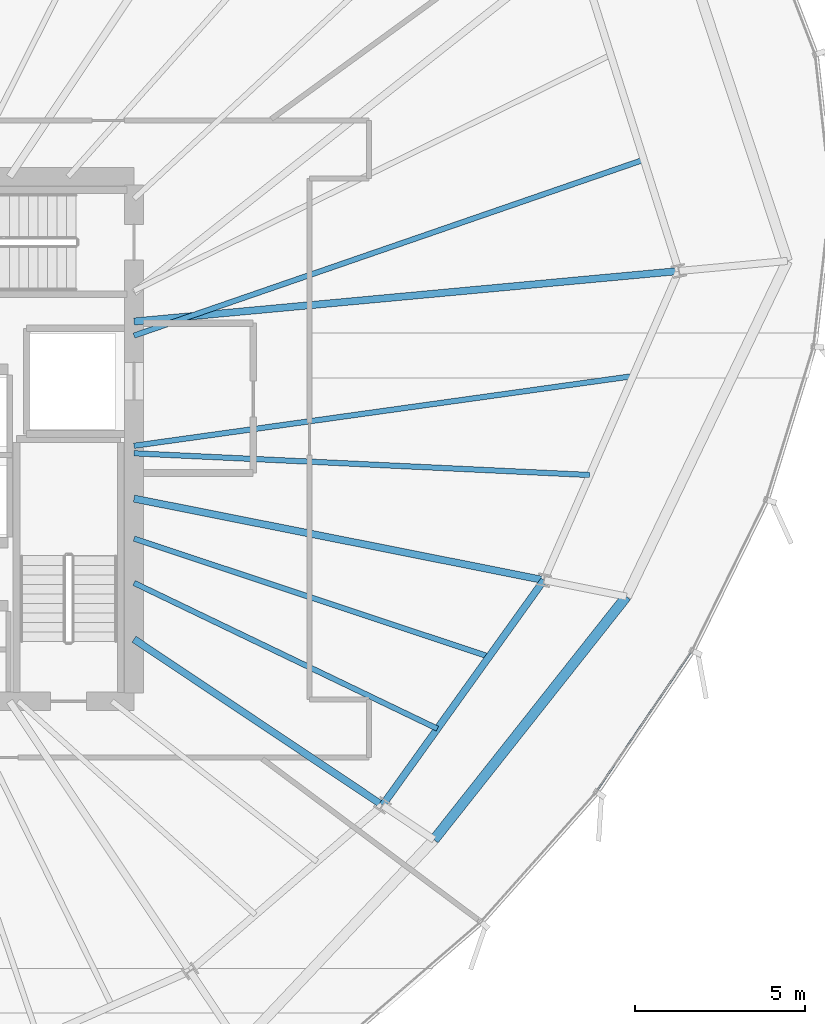
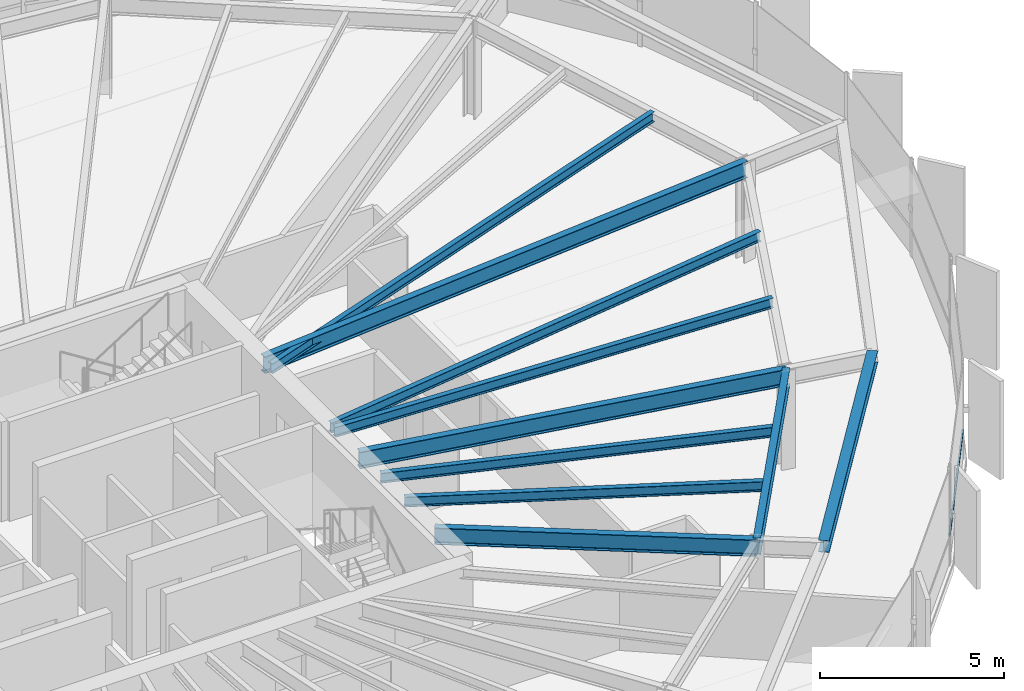
# One storey, part 15 of 36: 10 beams, 1 member, 1 element without a shape of its own.
"""IFC4 building model written with IfcOpenShell, lengths in metres."""

from ifc_helpers import new_model, si_unit, direction, frame, origin, origin_2d, place, context, subcontext, project, spatial, hollow_rectangle, i_section, extrude, source, transform, mapped, material, layer, layer_set, material_profile, profile_set, type_object, element, aggregate, save


model = new_model("IFC4")

# Units and contexts
model_context = context("Model", 3, precision=1e-05, world=origin(), true_north=direction((0.0, 1.0)))
body_context = subcontext(model_context, "Body", "Model", "MODEL_VIEW")
ifc_project = project(units=[si_unit("LENGTHUNIT", "METRE"), si_unit("AREAUNIT", "SQUARE_METRE"), si_unit("VOLUMEUNIT", "CUBIC_METRE"), si_unit("PLANEANGLEUNIT", "RADIAN"), si_unit("MASSUNIT", "GRAM", prefix="KILO"), si_unit("THERMODYNAMICTEMPERATUREUNIT", "KELVIN")], contexts=[model_context])

# Site, building, storey
site_placement = place(None, origin())
site = spatial("IfcSite", under=ifc_project, at=site_placement, CompositionType="ELEMENT")
building_placement = place(site_placement, origin())
building = spatial("IfcBuilding", under=site, at=building_placement, Name="Kethvar Cultural Tower", CompositionType="ELEMENT")
storey_placement = place(building_placement, frame((0.0, 0.0, 150.10009765625)))
storey = spatial("IfcBuildingStorey", under=building, at=storey_placement, Name="L38", CompositionType="ELEMENT", Elevation=150.10009765625)

# Beams
ifc_material_1 = material(Name="Steel S355J2", Category="steel")
ifc_material_profile_1 = material_profile(ifc_material_1, i_section(OverallWidth=0.2099609375, OverallDepth=0.550048828125, WebThickness=0.010986328125, FlangeThickness=0.01708984375, FilletRadius=0.02392578125, at=origin_2d()), Name="Steel S355J2 — IPE550")
ifc_profile_set_1 = profile_set([ifc_material_profile_1], Name="Steel S355J2 — IPE550")
beam_type_1 = type_object("IfcBeamType", Name="BM-IPE550", PredefinedType="BEAM", material=ifc_profile_set_1)
shared_shape_1 = source(origin(), body_context, "Body", "SweptSolid", [
    extrude(i_section(OverallWidth=0.2099609375, OverallDepth=0.550048828125, WebThickness=0.010986328125, FlangeThickness=0.01708984375, FilletRadius=0.02392578125, at=origin_2d()), origin(), (0.0, 0.0, 1.0), 16.071044921875),
])
beam_1_placement = place(storey_placement, frame((55.60009765625, 31.25, 3.02294921875), z_axis=(0.995731009363, 0.092302529718, 0.0), x_axis=(-0.092302529718, 0.995731009363, 0.0)))
element("IfcBeam", 1, at=beam_1_placement, inside=storey, type_object=beam_type_1, Name="L38 Primary Radial Beam RB-01", PredefinedType="BEAM", context=body_context, shape_type="MappedRepresentation", body=[
    mapped(shared_shape_1, transform((0.0, 0.0, 0.0), scale=1.0)),
])
shared_shape_2 = source(origin(), body_context, "Body", "SweptSolid", [
    extrude(i_section(OverallWidth=0.2099609375, OverallDepth=0.550048828125, WebThickness=0.010986328125, FlangeThickness=0.01708984375, FilletRadius=0.02392578125, at=origin_2d()), origin(), (0.0, 0.0, 1.0), 8.77783203125),
])
beam_2_placement = place(storey_placement, frame((55.60009765625, 21.919921875, 3.02294921875), z_axis=(0.831472186778, -0.555566380026, 0.0), x_axis=(0.555566380026, 0.831472186778, 0.0)))
element("IfcBeam", 2, at=beam_2_placement, inside=storey, type_object=beam_type_1, Name="L38 Primary Radial Beam RB-15", PredefinedType="BEAM", context=body_context, shape_type="MappedRepresentation", body=[
    mapped(shared_shape_2, transform((0.0, 0.0, 0.0), scale=1.0)),
])
shared_shape_3 = source(origin(), body_context, "Body", "SweptSolid", [
    extrude(i_section(OverallWidth=0.2099609375, OverallDepth=0.550048828125, WebThickness=0.010986328125, FlangeThickness=0.01708984375, FilletRadius=0.02392578125, at=origin_2d()), origin(), (0.0, 0.0, 1.0), 12.2744140625),
])
beam_3_placement = place(storey_placement, frame((55.60009765625, 26.049560546875, 3.02294921875), z_axis=(0.980782878234, -0.195102398146, 0.0), x_axis=(0.195102398146, 0.980782878234, 0.0)))
element("IfcBeam", 3, at=beam_3_placement, inside=storey, type_object=beam_type_1, Name="L38 Primary Radial Beam RB-16", PredefinedType="BEAM", context=body_context, shape_type="MappedRepresentation", body=[
    mapped(shared_shape_3, transform((0.0, 0.0, 0.0), scale=1.0)),
])
ifc_material_profile_2 = material_profile(ifc_material_1, i_section(OverallWidth=0.159912109375, OverallDepth=0.330078125, WebThickness=0.007568359375, FlangeThickness=0.011474609375, FilletRadius=0.01806640625, at=origin_2d()), Name="Steel S355J2 — IPE330")
ifc_profile_set_2 = profile_set([ifc_material_profile_2], Name="Steel S355J2 — IPE330")
beam_type_2 = type_object("IfcBeamType", Name="BM-J330", PredefinedType="JOIST", material=ifc_profile_set_2)
shared_shape_4 = source(origin(), body_context, "Body", "SweptSolid", [
    extrude(i_section(OverallWidth=0.159912109375, OverallDepth=0.330078125, WebThickness=0.007568359375, FlangeThickness=0.011474609375, FilletRadius=0.01806640625, at=origin_2d()), origin(), (0.0, 0.0, 1.0), 15.836669921875),
])
beam_4_placement = place(storey_placement, frame((55.60009765625, 30.836181640625, 3.1328125), z_axis=(0.945315135904, 0.326158387644, 0.0), x_axis=(-0.326158387644, 0.945315135904, 0.0)))
element("IfcBeam", 4, at=beam_4_placement, inside=storey, type_object=beam_type_2, Name="L38 Composite Floor Joist J-01A", PredefinedType="JOIST", context=body_context, shape_type="MappedRepresentation", body=[
    mapped(shared_shape_4, transform((0.0, 0.0, 0.0), scale=1.0)),
])
shared_shape_5 = source(origin(), body_context, "Body", "SweptSolid", [
    extrude(i_section(OverallWidth=0.2099609375, OverallDepth=0.550048828125, WebThickness=0.010986328125, FlangeThickness=0.01708984375, FilletRadius=0.02392578125, at=origin_2d()), origin(), (0.0, 0.0, 1.0), 8.13525390625),
])
beam_5_placement = place(storey_placement, frame((62.898681640625, 17.043212890625, 3.02294921875), z_axis=(0.582656731995, 0.812718359988, 0.0), x_axis=(-0.812718359988, 0.582656731995, 0.0)))
element("IfcBeam", 5, at=beam_5_placement, inside=storey, type_object=beam_type_1, Name="L38 Column Ring Tie Beam CR-15", PredefinedType="BEAM", context=body_context, shape_type="MappedRepresentation", body=[
    mapped(shared_shape_5, transform((0.0, 0.0, 0.0), scale=1.0)),
])
shared_shape_6 = source(origin(), body_context, "Body", "SweptSolid", [
    extrude(i_section(OverallWidth=0.159912109375, OverallDepth=0.330078125, WebThickness=0.007568359375, FlangeThickness=0.011474609375, FilletRadius=0.01806640625, at=origin_2d()), origin(), (0.0, 0.0, 1.0), 9.885009765625),
])
beam_6_placement = place(storey_placement, frame((55.60009765625, 23.572021484375, 3.1328125), z_axis=(0.901369611334, -0.43305060185, 0.0), x_axis=(0.43305060185, 0.901369611334, 0.0)))
element("IfcBeam", 6, at=beam_6_placement, inside=storey, type_object=beam_type_2, Name="L38 Composite Floor Joist J-15A", PredefinedType="JOIST", context=body_context, shape_type="MappedRepresentation", body=[
    mapped(shared_shape_6, transform((0.0, 0.0, 0.0), scale=1.0)),
])
shared_shape_7 = source(origin(), body_context, "Body", "SweptSolid", [
    extrude(i_section(OverallWidth=0.159912109375, OverallDepth=0.330078125, WebThickness=0.007568359375, FlangeThickness=0.011474609375, FilletRadius=0.01806640625, at=origin_2d()), origin(), (0.0, 0.0, 1.0), 10.98828125),
])
beam_7_placement = place(storey_placement, frame((55.60009765625, 24.8740234375, 3.1328125), z_axis=(0.948918548228, -0.315521138481, 0.0), x_axis=(0.315521138481, 0.948918548228, 0.0)))
element("IfcBeam", 7, at=beam_7_placement, inside=storey, type_object=beam_type_2, Name="L38 Composite Floor Joist J-15B", PredefinedType="JOIST", context=body_context, shape_type="MappedRepresentation", body=[
    mapped(shared_shape_7, transform((0.0, 0.0, 0.0), scale=1.0)),
])
shared_shape_8 = source(origin(), body_context, "Body", "SweptSolid", [
    extrude(i_section(OverallWidth=0.159912109375, OverallDepth=0.330078125, WebThickness=0.007568359375, FlangeThickness=0.011474609375, FilletRadius=0.01806640625, at=origin_2d()), origin(), (0.0, 0.0, 1.0), 13.4013671875),
])
beam_8_placement = place(storey_placement, frame((55.60009765625, 27.380126953125, 3.1328125), z_axis=(0.998864631653, -0.047638719894, 0.0), x_axis=(0.047638719894, 0.998864631653, 0.0)))
element("IfcBeam", 8, at=beam_8_placement, inside=storey, type_object=beam_type_2, Name="L38 Composite Floor Joist J-16A", PredefinedType="JOIST", context=body_context, shape_type="MappedRepresentation", body=[
    mapped(shared_shape_8, transform((0.0, 0.0, 0.0), scale=1.0)),
])
shared_shape_9 = source(origin(), body_context, "Body", "SweptSolid", [
    extrude(i_section(OverallWidth=0.159912109375, OverallDepth=0.330078125, WebThickness=0.007568359375, FlangeThickness=0.011474609375, FilletRadius=0.01806640625, at=origin_2d()), origin(), (0.0, 0.0, 1.0), 14.797119140625),
])
beam_9_placement = place(storey_placement, frame((55.60009765625, 27.60009765625, 3.1328125), z_axis=(0.990388450305, 0.138313836986, 0.0), x_axis=(-0.138313836986, 0.990388450305, 0.0)))
element("IfcBeam", 9, at=beam_9_placement, inside=storey, type_object=beam_type_2, Name="L38 Composite Floor Joist J-16B", PredefinedType="JOIST", context=body_context, shape_type="MappedRepresentation", body=[
    mapped(shared_shape_9, transform((0.0, 0.0, 0.0), scale=1.0)),
])
ifc_material_profile_3 = material_profile(ifc_material_1, i_section(OverallWidth=0.300048828125, OverallDepth=0.39990234375, WebThickness=0.013427734375, FlangeThickness=0.02392578125, FilletRadius=0.027099609375, at=origin_2d()), Name="Steel S355J2 — HEB400")
ifc_profile_set_3 = profile_set([ifc_material_profile_3], Name="Steel S355J2 — HEB400")
beam_type_3 = type_object("IfcBeamType", Name="BM-SP400", PredefinedType="SPANDREL", material=ifc_profile_set_3)
shared_shape_10 = source(origin(), body_context, "Body", "SweptSolid", [
    extrude(i_section(OverallWidth=0.300048828125, OverallDepth=0.39990234375, WebThickness=0.013427734375, FlangeThickness=0.02392578125, FilletRadius=0.027099609375, at=origin_2d()), origin(), (0.0, 0.0, 1.0), 9.105712890625),
])
beam_10_placement = place(storey_placement, frame((64.41162109375, 16.0322265625, 3.097900390625), z_axis=(0.620481098942, 0.784221401044, 0.0), x_axis=(-0.784221401044, 0.620481098942, 0.0)))
element("IfcBeam", 10, at=beam_10_placement, inside=storey, type_object=beam_type_3, Name="L38 Perimeter Spandrel Beam SP-15", PredefinedType="SPANDREL", context=body_context, shape_type="MappedRepresentation", body=[
    mapped(shared_shape_10, transform((0.0, 0.0, 0.0), scale=1.0)),
])

# Curtain wall, member
ifc_material_2 = material(Name="Aluminium 6063-T6", Category="aluminium")
ifc_layer = layer(ifc_material_2, 0.179931640625, Name="Aluminium 6063-T6", Category="aluminium")
ifc_layer_set = layer_set([ifc_layer], Name="Aluminium 6063-T6 (180 mm)")
curtain_wall_type = type_object("IfcCurtainWallType", Name="CW-SYS-04-Z34", PredefinedType="NOTDEFINED", material=ifc_layer_set)
curtain_wall_placement = place(storey_placement, origin())
curtain_wall = element("IfcCurtainWall", 11, at=curtain_wall_placement, inside=storey, type_object=curtain_wall_type, Name="L38 Curtain Wall Run 06", PredefinedType="NOTDEFINED")
ifc_material_profile_4 = material_profile(ifc_material_2, hollow_rectangle(XDim=0.050048828125, YDim=0.10009765625, WallThickness=0.00390625, at=origin_2d()), Name="Aluminium 6063-T6 — RHS100x50x4")
ifc_profile_set_4 = profile_set([ifc_material_profile_4], Name="Aluminium 6063-T6 — RHS100x50x4")
member_type = type_object("IfcMemberType", Name="CW-SYS-04-Z34-TRN", PredefinedType="USERDEFINED", material=ifc_profile_set_4)
shared_shape_11 = source(origin(), body_context, "Body", "SweptSolid", [
    extrude(hollow_rectangle(XDim=0.050048828125, YDim=0.10009765625, WallThickness=0.00390625, at=origin_2d()), origin(), (0.0, 0.0, 1.0), 4.97998046875),
])
member_placement = place(storey_placement, frame((69.176513671875, 17.444580078125, 0.949951171875), z_axis=(0.561042166683, 0.827787223387, 0.0), x_axis=(-0.827787223387, 0.561042166683, 0.0)))
member = element("IfcMember", 12, at=member_placement, type_object=member_type, Name="CW-L38-R06 Transom 1", ObjectType="TRANSOM", PredefinedType="USERDEFINED", context=body_context, shape_type="MappedRepresentation", body=[
    mapped(shared_shape_11, transform((0.0, 0.0, 0.0), scale=1.0)),
])
aggregate(curtain_wall, [member])

save(model, "model.ifc")
